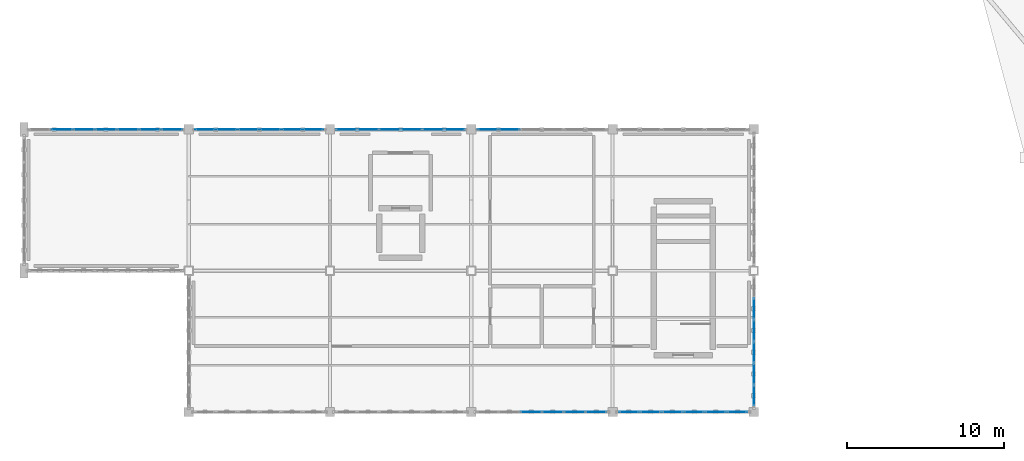
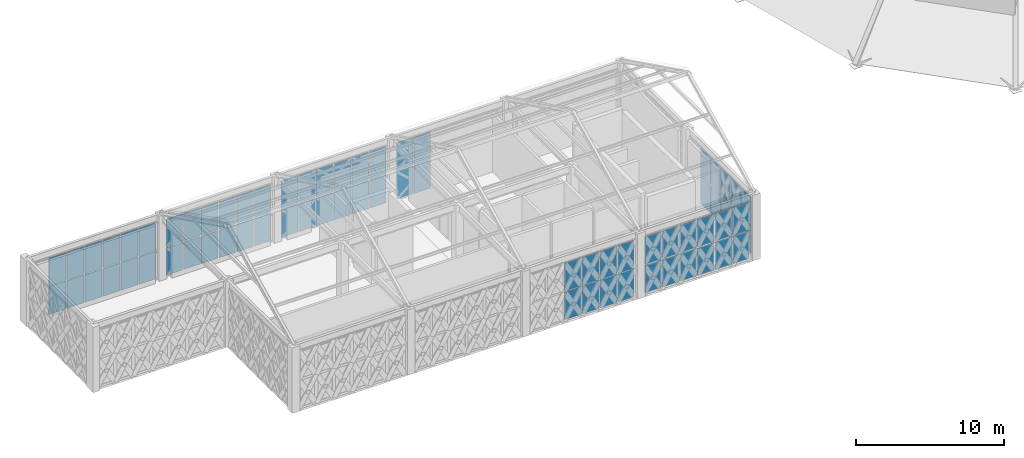
# One storey, part 25 of 32: 70 plates, 7 elements without a shape of their own.
"""IFC4 building model written with IfcOpenShell, lengths in metres."""

from ifc_helpers import new_model, si_unit, direction, frame, origin, origin_2d, place, context, subcontext, project, spatial, rectangle, extrude, material, layer, layer_set, type_object, element, aggregate, save


model = new_model("IFC4")

# Units and contexts
model_context = context("Model", 3, precision=1e-05, world=origin(), true_north=direction((0.0, 1.0)))
body_context = subcontext(model_context, "Body", "Model", "MODEL_VIEW")
ifc_project = project(units=[si_unit("LENGTHUNIT", "METRE"), si_unit("AREAUNIT", "SQUARE_METRE"), si_unit("VOLUMEUNIT", "CUBIC_METRE"), si_unit("PLANEANGLEUNIT", "RADIAN"), si_unit("MASSUNIT", "GRAM", prefix="KILO")], contexts=[model_context])

# Site, building, storey
site_placement = place(None, origin())
site = spatial("IfcSite", under=ifc_project, at=site_placement, CompositionType="ELEMENT")
building_placement = place(site_placement, origin())
building = spatial("IfcBuilding", under=site, at=building_placement, Name="Haizhuo Lancet Aquarium", CompositionType="ELEMENT")
storey_placement = place(building_placement, frame((0.0, 0.0, 27.0)))
storey = spatial("IfcBuildingStorey", under=building, at=storey_placement, Name="L05", CompositionType="ELEMENT", Elevation=27.0)

# Curtain wall, plates
ifc_material_1 = material(Name="Aluminium 6063-T6", Category="aluminium")
curtain_wall_type_1 = type_object("IfcCurtainWallType", Name="CWO-8310x4800", PredefinedType="NOTDEFINED", material=ifc_material_1)
curtain_wall_1_placement = place(storey_placement, origin())
curtain_wall_1 = element("IfcCurtainWall", 1, at=curtain_wall_1_placement, inside=storey, type_object=curtain_wall_type_1, Name="L05 curtain wall CW-V6-L05-261", PredefinedType="NOTDEFINED")
ifc_material_2 = material(Name="Laminated Low-E Glass", Category="glass")
ifc_layer_1 = layer(ifc_material_2, 0.028076171875)
ifc_layer_set_1 = layer_set([ifc_layer_1], Name="Laminated Low-E Glass")
plate_type_1 = type_object("IfcPlateType", Name="CW-PNL-1", PredefinedType="CURTAIN_PANEL", material=ifc_layer_set_1)
plate_1_placement = place(storey_placement, frame((-70.94189453125, -9.0, 0.080078125), z_axis=(0.0, 0.0, 1.0), x_axis=(1.0, 0.0, 0.0)))
plate_1 = element("IfcPlate", 2, at=plate_1_placement, type_object=plate_type_1, Name="CWO-83x48 panel 1.1", PredefinedType="CURTAIN_PANEL", context=body_context, shape_type="SweptSolid", body=[
    extrude(rectangle(XDim=1.264892578125, YDim=0.028076171875, at=origin_2d()), origin(), (0.0, 0.0, 1.0), 2.280029296875),
])
plate_2_placement = place(storey_placement, frame((-70.94189453125, -9.0, 2.43994140625), z_axis=(0.0, 0.0, 1.0), x_axis=(1.0, 0.0, 0.0)))
plate_2 = element("IfcPlate", 3, at=plate_2_placement, type_object=plate_type_1, Name="CWO-83x48 panel 1.2", PredefinedType="CURTAIN_PANEL", context=body_context, shape_type="SweptSolid", body=[
    extrude(rectangle(XDim=1.264892578125, YDim=0.028076171875, at=origin_2d()), origin(), (0.0, 0.0, 1.0), 2.280029296875),
])
plate_3_placement = place(storey_placement, frame((-69.577880859375, -9.0, 0.080078125), z_axis=(0.0, 0.0, 1.0), x_axis=(1.0, 0.0, 0.0)))
plate_3 = element("IfcPlate", 4, at=plate_3_placement, type_object=plate_type_1, Name="CWO-83x48 panel 2.1", PredefinedType="CURTAIN_PANEL", context=body_context, shape_type="SweptSolid", body=[
    extrude(rectangle(XDim=1.304931640625, YDim=0.028076171875, at=origin_2d()), origin(), (0.0, 0.0, 1.0), 2.280029296875),
])
plate_4_placement = place(storey_placement, frame((-69.577880859375, -9.0, 2.43994140625), z_axis=(0.0, 0.0, 1.0), x_axis=(1.0, 0.0, 0.0)))
plate_4 = element("IfcPlate", 5, at=plate_4_placement, type_object=plate_type_1, Name="CWO-83x48 panel 2.2", PredefinedType="CURTAIN_PANEL", context=body_context, shape_type="SweptSolid", body=[
    extrude(rectangle(XDim=1.304931640625, YDim=0.028076171875, at=origin_2d()), origin(), (0.0, 0.0, 1.0), 2.280029296875),
])
plate_5_placement = place(storey_placement, frame((-68.19189453125, -9.0, 0.080078125), z_axis=(0.0, 0.0, 1.0), x_axis=(1.0, 0.0, 0.0)))
plate_5 = element("IfcPlate", 6, at=plate_5_placement, type_object=plate_type_1, Name="CWO-83x48 panel 3.1", PredefinedType="CURTAIN_PANEL", context=body_context, shape_type="SweptSolid", body=[
    extrude(rectangle(XDim=1.304931640625, YDim=0.028076171875, at=origin_2d()), origin(), (0.0, 0.0, 1.0), 2.280029296875),
])
plate_6_placement = place(storey_placement, frame((-68.19189453125, -9.0, 2.43994140625), z_axis=(0.0, 0.0, 1.0), x_axis=(1.0, 0.0, 0.0)))
plate_6 = element("IfcPlate", 7, at=plate_6_placement, type_object=plate_type_1, Name="CWO-83x48 panel 3.2", PredefinedType="CURTAIN_PANEL", context=body_context, shape_type="SweptSolid", body=[
    extrude(rectangle(XDim=1.304931640625, YDim=0.028076171875, at=origin_2d()), origin(), (0.0, 0.0, 1.0), 2.280029296875),
])
plate_7_placement = place(storey_placement, frame((-66.80810546875, -9.0, 0.080078125), z_axis=(0.0, 0.0, 1.0), x_axis=(1.0, 0.0, 0.0)))
plate_7 = element("IfcPlate", 8, at=plate_7_placement, type_object=plate_type_1, Name="CWO-83x48 panel 4.1", PredefinedType="CURTAIN_PANEL", context=body_context, shape_type="SweptSolid", body=[
    extrude(rectangle(XDim=1.304931640625, YDim=0.028076171875, at=origin_2d()), origin(), (0.0, 0.0, 1.0), 2.280029296875),
])
plate_8_placement = place(storey_placement, frame((-66.80810546875, -9.0, 2.43994140625), z_axis=(0.0, 0.0, 1.0), x_axis=(1.0, 0.0, 0.0)))
plate_8 = element("IfcPlate", 9, at=plate_8_placement, type_object=plate_type_1, Name="CWO-83x48 panel 4.2", PredefinedType="CURTAIN_PANEL", context=body_context, shape_type="SweptSolid", body=[
    extrude(rectangle(XDim=1.304931640625, YDim=0.028076171875, at=origin_2d()), origin(), (0.0, 0.0, 1.0), 2.280029296875),
])
plate_9_placement = place(storey_placement, frame((-65.422119140625, -9.0, 0.080078125), z_axis=(0.0, 0.0, 1.0), x_axis=(1.0, 0.0, 0.0)))
plate_9 = element("IfcPlate", 10, at=plate_9_placement, type_object=plate_type_1, Name="CWO-83x48 panel 5.1", PredefinedType="CURTAIN_PANEL", context=body_context, shape_type="SweptSolid", body=[
    extrude(rectangle(XDim=1.304931640625, YDim=0.028076171875, at=origin_2d()), origin(), (0.0, 0.0, 1.0), 2.280029296875),
])
plate_10_placement = place(storey_placement, frame((-65.422119140625, -9.0, 2.43994140625), z_axis=(0.0, 0.0, 1.0), x_axis=(1.0, 0.0, 0.0)))
plate_10 = element("IfcPlate", 11, at=plate_10_placement, type_object=plate_type_1, Name="CWO-83x48 panel 5.2", PredefinedType="CURTAIN_PANEL", context=body_context, shape_type="SweptSolid", body=[
    extrude(rectangle(XDim=1.304931640625, YDim=0.028076171875, at=origin_2d()), origin(), (0.0, 0.0, 1.0), 2.280029296875),
])
plate_11_placement = place(storey_placement, frame((-64.05810546875, -9.0, 0.080078125), z_axis=(0.0, 0.0, 1.0), x_axis=(1.0, 0.0, 0.0)))
plate_11 = element("IfcPlate", 12, at=plate_11_placement, type_object=plate_type_1, Name="CWO-83x48 panel 6.1", PredefinedType="CURTAIN_PANEL", context=body_context, shape_type="SweptSolid", body=[
    extrude(rectangle(XDim=1.264892578125, YDim=0.028076171875, at=origin_2d()), origin(), (0.0, 0.0, 1.0), 2.280029296875),
])
plate_12_placement = place(storey_placement, frame((-64.05810546875, -9.0, 2.43994140625), z_axis=(0.0, 0.0, 1.0), x_axis=(1.0, 0.0, 0.0)))
plate_12 = element("IfcPlate", 13, at=plate_12_placement, type_object=plate_type_1, Name="CWO-83x48 panel 6.2", PredefinedType="CURTAIN_PANEL", context=body_context, shape_type="SweptSolid", body=[
    extrude(rectangle(XDim=1.264892578125, YDim=0.028076171875, at=origin_2d()), origin(), (0.0, 0.0, 1.0), 2.280029296875),
])
aggregate(curtain_wall_1, [plate_1, plate_2, plate_3, plate_4, plate_5, plate_6, plate_7, plate_8, plate_9, plate_10, plate_11, plate_12])

curtain_wall_2_placement = place(storey_placement, origin())
curtain_wall_2 = element("IfcCurtainWall", 14, at=curtain_wall_2_placement, inside=storey, type_object=curtain_wall_type_1, Name="L05 curtain wall CW-V6-L05-262", PredefinedType="NOTDEFINED")
ifc_layer_2 = layer(ifc_material_2, 0.033935546875)
ifc_layer_set_2 = layer_set([ifc_layer_2], Name="Laminated Low-E Glass")
plate_type_2 = type_object("IfcPlateType", Name="CW-PNL-2", PredefinedType="CURTAIN_PANEL", material=ifc_layer_set_2)
plate_13_placement = place(storey_placement, frame((-61.946044921875, -9.0, 0.064453125), z_axis=(0.0, 0.0, 1.0), x_axis=(1.0, 0.0, 0.0)))
plate_13 = element("IfcPlate", 15, at=plate_13_placement, type_object=plate_type_2, Name="CWO-83x48 panel 1.1", PredefinedType="CURTAIN_PANEL", context=body_context, shape_type="SweptSolid", body=[
    extrude(rectangle(XDim=1.2880859375, YDim=0.033935546875, at=origin_2d()), origin(), (0.0, 0.0, 1.0), 2.302978515625),
])
plate_14_placement = place(storey_placement, frame((-61.946044921875, -9.0, 2.4326171875), z_axis=(0.0, 0.0, 1.0), x_axis=(1.0, 0.0, 0.0)))
plate_14 = element("IfcPlate", 16, at=plate_14_placement, type_object=plate_type_2, Name="CWO-83x48 panel 1.2", PredefinedType="CURTAIN_PANEL", context=body_context, shape_type="SweptSolid", body=[
    extrude(rectangle(XDim=1.2880859375, YDim=0.033935546875, at=origin_2d()), origin(), (0.0, 0.0, 1.0), 2.302978515625),
])
plate_15_placement = place(storey_placement, frame((-60.577880859375, -9.0, 0.064453125), z_axis=(0.0, 0.0, 1.0), x_axis=(1.0, 0.0, 0.0)))
plate_15 = element("IfcPlate", 17, at=plate_15_placement, type_object=plate_type_2, Name="CWO-83x48 panel 2.1", PredefinedType="CURTAIN_PANEL", context=body_context, shape_type="SweptSolid", body=[
    extrude(rectangle(XDim=1.320068359375, YDim=0.033935546875, at=origin_2d()), origin(), (0.0, 0.0, 1.0), 2.302978515625),
])
plate_16_placement = place(storey_placement, frame((-60.577880859375, -9.0, 2.4326171875), z_axis=(0.0, 0.0, 1.0), x_axis=(1.0, 0.0, 0.0)))
plate_16 = element("IfcPlate", 18, at=plate_16_placement, type_object=plate_type_2, Name="CWO-83x48 panel 2.2", PredefinedType="CURTAIN_PANEL", context=body_context, shape_type="SweptSolid", body=[
    extrude(rectangle(XDim=1.320068359375, YDim=0.033935546875, at=origin_2d()), origin(), (0.0, 0.0, 1.0), 2.302978515625),
])
plate_17_placement = place(storey_placement, frame((-59.193115234375, -9.0, 0.064453125), z_axis=(0.0, 0.0, 1.0), x_axis=(1.0, 0.0, 0.0)))
plate_17 = element("IfcPlate", 19, at=plate_17_placement, type_object=plate_type_2, Name="CWO-83x48 panel 3.1", PredefinedType="CURTAIN_PANEL", context=body_context, shape_type="SweptSolid", body=[
    extrude(rectangle(XDim=1.320068359375, YDim=0.033935546875, at=origin_2d()), origin(), (0.0, 0.0, 1.0), 2.302978515625),
])
plate_18_placement = place(storey_placement, frame((-59.193115234375, -9.0, 2.4326171875), z_axis=(0.0, 0.0, 1.0), x_axis=(1.0, 0.0, 0.0)))
plate_18 = element("IfcPlate", 20, at=plate_18_placement, type_object=plate_type_2, Name="CWO-83x48 panel 3.2", PredefinedType="CURTAIN_PANEL", context=body_context, shape_type="SweptSolid", body=[
    extrude(rectangle(XDim=1.320068359375, YDim=0.033935546875, at=origin_2d()), origin(), (0.0, 0.0, 1.0), 2.302978515625),
])
plate_19_placement = place(storey_placement, frame((-57.806884765625, -9.0, 0.064453125), z_axis=(0.0, 0.0, 1.0), x_axis=(1.0, 0.0, 0.0)))
plate_19 = element("IfcPlate", 21, at=plate_19_placement, type_object=plate_type_2, Name="CWO-83x48 panel 4.1", PredefinedType="CURTAIN_PANEL", context=body_context, shape_type="SweptSolid", body=[
    extrude(rectangle(XDim=1.320068359375, YDim=0.033935546875, at=origin_2d()), origin(), (0.0, 0.0, 1.0), 2.302978515625),
])
plate_20_placement = place(storey_placement, frame((-57.806884765625, -9.0, 2.4326171875), z_axis=(0.0, 0.0, 1.0), x_axis=(1.0, 0.0, 0.0)))
plate_20 = element("IfcPlate", 22, at=plate_20_placement, type_object=plate_type_2, Name="CWO-83x48 panel 4.2", PredefinedType="CURTAIN_PANEL", context=body_context, shape_type="SweptSolid", body=[
    extrude(rectangle(XDim=1.320068359375, YDim=0.033935546875, at=origin_2d()), origin(), (0.0, 0.0, 1.0), 2.302978515625),
])
plate_21_placement = place(storey_placement, frame((-56.422119140625, -9.0, 0.064453125), z_axis=(0.0, 0.0, 1.0), x_axis=(1.0, 0.0, 0.0)))
plate_21 = element("IfcPlate", 23, at=plate_21_placement, type_object=plate_type_2, Name="CWO-83x48 panel 5.1", PredefinedType="CURTAIN_PANEL", context=body_context, shape_type="SweptSolid", body=[
    extrude(rectangle(XDim=1.320068359375, YDim=0.033935546875, at=origin_2d()), origin(), (0.0, 0.0, 1.0), 2.302978515625),
])
plate_22_placement = place(storey_placement, frame((-56.422119140625, -9.0, 2.4326171875), z_axis=(0.0, 0.0, 1.0), x_axis=(1.0, 0.0, 0.0)))
plate_22 = element("IfcPlate", 24, at=plate_22_placement, type_object=plate_type_2, Name="CWO-83x48 panel 5.2", PredefinedType="CURTAIN_PANEL", context=body_context, shape_type="SweptSolid", body=[
    extrude(rectangle(XDim=1.320068359375, YDim=0.033935546875, at=origin_2d()), origin(), (0.0, 0.0, 1.0), 2.302978515625),
])
plate_23_placement = place(storey_placement, frame((-55.053955078125, -9.0, 0.064453125), z_axis=(0.0, 0.0, 1.0), x_axis=(1.0, 0.0, 0.0)))
plate_23 = element("IfcPlate", 25, at=plate_23_placement, type_object=plate_type_2, Name="CWO-83x48 panel 6.1", PredefinedType="CURTAIN_PANEL", context=body_context, shape_type="SweptSolid", body=[
    extrude(rectangle(XDim=1.287109375, YDim=0.033935546875, at=origin_2d()), origin(), (0.0, 0.0, 1.0), 2.302978515625),
])
plate_24_placement = place(storey_placement, frame((-55.053955078125, -9.0, 2.4326171875), z_axis=(0.0, 0.0, 1.0), x_axis=(1.0, 0.0, 0.0)))
plate_24 = element("IfcPlate", 26, at=plate_24_placement, type_object=plate_type_2, Name="CWO-83x48 panel 6.2", PredefinedType="CURTAIN_PANEL", context=body_context, shape_type="SweptSolid", body=[
    extrude(rectangle(XDim=1.287109375, YDim=0.033935546875, at=origin_2d()), origin(), (0.0, 0.0, 1.0), 2.302978515625),
])
aggregate(curtain_wall_2, [plate_13, plate_14, plate_15, plate_16, plate_17, plate_18, plate_19, plate_20, plate_21, plate_22, plate_23, plate_24])

curtain_wall_type_2 = type_object("IfcCurtainWallType", Name="CWD-8310x4800", PredefinedType="NOTDEFINED", material=ifc_material_1)
curtain_wall_3_placement = place(storey_placement, origin())
curtain_wall_3 = element("IfcCurtainWall", 27, at=curtain_wall_3_placement, inside=storey, type_object=curtain_wall_type_2, Name="L05 curtain wall CW-V6-L05-266", PredefinedType="NOTDEFINED")
plate_25_placement = place(storey_placement, frame((-36.0, -20.422119140625, 0.075439453125), z_axis=(0.0, 0.0, 1.0), x_axis=(0.0, -1.0, 0.0)))
plate_25 = element("IfcPlate", 28, at=plate_25_placement, type_object=plate_type_2, Name="CWD-83x48 panel 2.1", PredefinedType="CURTAIN_PANEL", context=body_context, shape_type="SweptSolid", body=[
    extrude(rectangle(XDim=1.31005859375, YDim=0.033935546875, at=origin_2d()), origin(), (0.0, 0.0, 1.0), 2.287109375),
])
plate_26_placement = place(storey_placement, frame((-36.0, -20.422119140625, 2.4375), z_axis=(0.0, 0.0, 1.0), x_axis=(0.0, -1.0, 0.0)))
plate_26 = element("IfcPlate", 29, at=plate_26_placement, type_object=plate_type_2, Name="CWD-83x48 panel 2.2", PredefinedType="CURTAIN_PANEL", context=body_context, shape_type="SweptSolid", body=[
    extrude(rectangle(XDim=1.31005859375, YDim=0.033935546875, at=origin_2d()), origin(), (0.0, 0.0, 1.0), 2.287109375),
])
plate_27_placement = place(storey_placement, frame((-36.0, -21.80810546875, 0.075439453125), z_axis=(0.0, 0.0, 1.0), x_axis=(0.0, -1.0, 0.0)))
plate_27 = element("IfcPlate", 30, at=plate_27_placement, type_object=plate_type_2, Name="CWD-83x48 panel 3.1", PredefinedType="CURTAIN_PANEL", context=body_context, shape_type="SweptSolid", body=[
    extrude(rectangle(XDim=1.31005859375, YDim=0.033935546875, at=origin_2d()), origin(), (0.0, 0.0, 1.0), 2.287109375),
])
plate_28_placement = place(storey_placement, frame((-36.0, -21.80810546875, 2.4375), z_axis=(0.0, 0.0, 1.0), x_axis=(0.0, -1.0, 0.0)))
plate_28 = element("IfcPlate", 31, at=plate_28_placement, type_object=plate_type_2, Name="CWD-83x48 panel 3.2", PredefinedType="CURTAIN_PANEL", context=body_context, shape_type="SweptSolid", body=[
    extrude(rectangle(XDim=1.31005859375, YDim=0.033935546875, at=origin_2d()), origin(), (0.0, 0.0, 1.0), 2.287109375),
])
plate_29_placement = place(storey_placement, frame((-36.0, -23.193115234375, 0.075439453125), z_axis=(0.0, 0.0, 1.0), x_axis=(0.0, -1.0, 0.0)))
plate_29 = element("IfcPlate", 32, at=plate_29_placement, type_object=plate_type_2, Name="CWD-83x48 panel 4.1", PredefinedType="CURTAIN_PANEL", context=body_context, shape_type="SweptSolid", body=[
    extrude(rectangle(XDim=1.31005859375, YDim=0.033935546875, at=origin_2d()), origin(), (0.0, 0.0, 1.0), 2.287109375),
])
plate_30_placement = place(storey_placement, frame((-36.0, -23.193115234375, 2.4375), z_axis=(0.0, 0.0, 1.0), x_axis=(0.0, -1.0, 0.0)))
plate_30 = element("IfcPlate", 33, at=plate_30_placement, type_object=plate_type_2, Name="CWD-83x48 panel 4.2", PredefinedType="CURTAIN_PANEL", context=body_context, shape_type="SweptSolid", body=[
    extrude(rectangle(XDim=1.31005859375, YDim=0.033935546875, at=origin_2d()), origin(), (0.0, 0.0, 1.0), 2.287109375),
])
plate_31_placement = place(storey_placement, frame((-36.0, -24.577880859375, 0.075439453125), z_axis=(0.0, 0.0, 1.0), x_axis=(0.0, -1.0, 0.0)))
plate_31 = element("IfcPlate", 34, at=plate_31_placement, type_object=plate_type_2, Name="CWD-83x48 panel 5.1", PredefinedType="CURTAIN_PANEL", context=body_context, shape_type="SweptSolid", body=[
    extrude(rectangle(XDim=1.31005859375, YDim=0.033935546875, at=origin_2d()), origin(), (0.0, 0.0, 1.0), 2.287109375),
])
plate_32_placement = place(storey_placement, frame((-36.0, -24.577880859375, 2.4375), z_axis=(0.0, 0.0, 1.0), x_axis=(0.0, -1.0, 0.0)))
plate_32 = element("IfcPlate", 35, at=plate_32_placement, type_object=plate_type_2, Name="CWD-83x48 panel 5.2", PredefinedType="CURTAIN_PANEL", context=body_context, shape_type="SweptSolid", body=[
    extrude(rectangle(XDim=1.31005859375, YDim=0.033935546875, at=origin_2d()), origin(), (0.0, 0.0, 1.0), 2.287109375),
])
plate_33_placement = place(storey_placement, frame((-36.0, -25.944091796875, 0.075439453125), z_axis=(0.0, 0.0, 1.0), x_axis=(0.0, -1.0, 0.0)))
plate_33 = element("IfcPlate", 36, at=plate_33_placement, type_object=plate_type_2, Name="CWD-83x48 panel 6.1", PredefinedType="CURTAIN_PANEL", context=body_context, shape_type="SweptSolid", body=[
    extrude(rectangle(XDim=1.27294921875, YDim=0.033935546875, at=origin_2d()), origin(), (0.0, 0.0, 1.0), 2.287109375),
])
plate_34_placement = place(storey_placement, frame((-36.0, -25.944091796875, 2.4375), z_axis=(0.0, 0.0, 1.0), x_axis=(0.0, -1.0, 0.0)))
plate_34 = element("IfcPlate", 37, at=plate_34_placement, type_object=plate_type_2, Name="CWD-83x48 panel 6.2", PredefinedType="CURTAIN_PANEL", context=body_context, shape_type="SweptSolid", body=[
    extrude(rectangle(XDim=1.27294921875, YDim=0.033935546875, at=origin_2d()), origin(), (0.0, 0.0, 1.0), 2.287109375),
])
aggregate(curtain_wall_3, [plate_25, plate_26, plate_27, plate_28, plate_29, plate_30, plate_31, plate_32, plate_33, plate_34])

curtain_wall_4_placement = place(storey_placement, origin())
curtain_wall_4 = element("IfcCurtainWall", 38, at=curtain_wall_4_placement, inside=storey, type_object=curtain_wall_type_1, Name="L05 curtain wall CW-V6-L05-263", PredefinedType="NOTDEFINED")
ifc_layer_3 = layer(ifc_material_2, 0.0419921875)
ifc_layer_set_3 = layer_set([ifc_layer_3], Name="Laminated Low-E Glass")
plate_type_3 = type_object("IfcPlateType", Name="CW-PNL-3", PredefinedType="CURTAIN_PANEL", material=ifc_layer_set_3)
plate_35_placement = place(storey_placement, frame((-52.944091796875, -9.0, 0.075439453125), z_axis=(0.0, 0.0, 1.0), x_axis=(1.0, 0.0, 0.0)))
plate_35 = element("IfcPlate", 39, at=plate_35_placement, type_object=plate_type_3, Name="CWO-83x48 panel 1.1", PredefinedType="CURTAIN_PANEL", context=body_context, shape_type="SweptSolid", body=[
    extrude(rectangle(XDim=1.27294921875, YDim=0.0419921875, at=origin_2d()), origin(), (0.0, 0.0, 1.0), 2.287109375),
])
plate_36_placement = place(storey_placement, frame((-52.944091796875, -9.0, 2.4375), z_axis=(0.0, 0.0, 1.0), x_axis=(1.0, 0.0, 0.0)))
plate_36 = element("IfcPlate", 40, at=plate_36_placement, type_object=plate_type_3, Name="CWO-83x48 panel 1.2", PredefinedType="CURTAIN_PANEL", context=body_context, shape_type="SweptSolid", body=[
    extrude(rectangle(XDim=1.27294921875, YDim=0.0419921875, at=origin_2d()), origin(), (0.0, 0.0, 1.0), 2.287109375),
])
plate_37_placement = place(storey_placement, frame((-51.577880859375, -9.0, 0.075439453125), z_axis=(0.0, 0.0, 1.0), x_axis=(1.0, 0.0, 0.0)))
plate_37 = element("IfcPlate", 41, at=plate_37_placement, type_object=plate_type_3, Name="CWO-83x48 panel 2.1", PredefinedType="CURTAIN_PANEL", context=body_context, shape_type="SweptSolid", body=[
    extrude(rectangle(XDim=1.31005859375, YDim=0.0419921875, at=origin_2d()), origin(), (0.0, 0.0, 1.0), 2.287109375),
])
plate_38_placement = place(storey_placement, frame((-51.577880859375, -9.0, 2.4375), z_axis=(0.0, 0.0, 1.0), x_axis=(1.0, 0.0, 0.0)))
plate_38 = element("IfcPlate", 42, at=plate_38_placement, type_object=plate_type_3, Name="CWO-83x48 panel 2.2", PredefinedType="CURTAIN_PANEL", context=body_context, shape_type="SweptSolid", body=[
    extrude(rectangle(XDim=1.31005859375, YDim=0.0419921875, at=origin_2d()), origin(), (0.0, 0.0, 1.0), 2.287109375),
])
aggregate(curtain_wall_4, [plate_35, plate_36, plate_37, plate_38])

curtain_wall_5_placement = place(storey_placement, origin())
curtain_wall_5 = element("IfcCurtainWall", 43, at=curtain_wall_5_placement, inside=storey, type_object=curtain_wall_type_2, Name="L05 curtain wall CW-V6-L05-267", PredefinedType="NOTDEFINED")
plate_39_placement = place(storey_placement, frame((-37.056884765625, -27.0, 0.080078125), z_axis=(0.0, 0.0, 1.0), x_axis=(-1.0, 0.0, 0.0)))
plate_39 = element("IfcPlate", 44, at=plate_39_placement, type_object=plate_type_3, Name="CWD-83x48 panel 1.1", PredefinedType="CURTAIN_PANEL", context=body_context, shape_type="SweptSolid", body=[
    extrude(rectangle(XDim=1.264892578125, YDim=0.0419921875, at=origin_2d()), origin(), (0.0, 0.0, 1.0), 2.280029296875),
])
plate_40_placement = place(storey_placement, frame((-37.056884765625, -27.0, 2.43994140625), z_axis=(0.0, 0.0, 1.0), x_axis=(-1.0, 0.0, 0.0)))
plate_40 = element("IfcPlate", 45, at=plate_40_placement, type_object=plate_type_3, Name="CWD-83x48 panel 1.2", PredefinedType="CURTAIN_PANEL", context=body_context, shape_type="SweptSolid", body=[
    extrude(rectangle(XDim=1.264892578125, YDim=0.0419921875, at=origin_2d()), origin(), (0.0, 0.0, 1.0), 2.280029296875),
])
plate_41_placement = place(storey_placement, frame((-38.422119140625, -27.0, 0.080078125), z_axis=(0.0, 0.0, 1.0), x_axis=(-1.0, 0.0, 0.0)))
plate_41 = element("IfcPlate", 46, at=plate_41_placement, type_object=plate_type_3, Name="CWD-83x48 panel 2.1", PredefinedType="CURTAIN_PANEL", context=body_context, shape_type="SweptSolid", body=[
    extrude(rectangle(XDim=1.304931640625, YDim=0.0419921875, at=origin_2d()), origin(), (0.0, 0.0, 1.0), 2.280029296875),
])
plate_42_placement = place(storey_placement, frame((-38.422119140625, -27.0, 2.43994140625), z_axis=(0.0, 0.0, 1.0), x_axis=(-1.0, 0.0, 0.0)))
plate_42 = element("IfcPlate", 47, at=plate_42_placement, type_object=plate_type_3, Name="CWD-83x48 panel 2.2", PredefinedType="CURTAIN_PANEL", context=body_context, shape_type="SweptSolid", body=[
    extrude(rectangle(XDim=1.304931640625, YDim=0.0419921875, at=origin_2d()), origin(), (0.0, 0.0, 1.0), 2.280029296875),
])
plate_43_placement = place(storey_placement, frame((-39.806884765625, -27.0, 0.080078125), z_axis=(0.0, 0.0, 1.0), x_axis=(-1.0, 0.0, 0.0)))
plate_43 = element("IfcPlate", 48, at=plate_43_placement, type_object=plate_type_3, Name="CWD-83x48 panel 3.1", PredefinedType="CURTAIN_PANEL", context=body_context, shape_type="SweptSolid", body=[
    extrude(rectangle(XDim=1.304931640625, YDim=0.0419921875, at=origin_2d()), origin(), (0.0, 0.0, 1.0), 2.280029296875),
])
plate_44_placement = place(storey_placement, frame((-39.806884765625, -27.0, 2.43994140625), z_axis=(0.0, 0.0, 1.0), x_axis=(-1.0, 0.0, 0.0)))
plate_44 = element("IfcPlate", 49, at=plate_44_placement, type_object=plate_type_3, Name="CWD-83x48 panel 3.2", PredefinedType="CURTAIN_PANEL", context=body_context, shape_type="SweptSolid", body=[
    extrude(rectangle(XDim=1.304931640625, YDim=0.0419921875, at=origin_2d()), origin(), (0.0, 0.0, 1.0), 2.280029296875),
])
plate_45_placement = place(storey_placement, frame((-41.193115234375, -27.0, 0.080078125), z_axis=(0.0, 0.0, 1.0), x_axis=(-1.0, 0.0, 0.0)))
plate_45 = element("IfcPlate", 50, at=plate_45_placement, type_object=plate_type_3, Name="CWD-83x48 panel 4.1", PredefinedType="CURTAIN_PANEL", context=body_context, shape_type="SweptSolid", body=[
    extrude(rectangle(XDim=1.304931640625, YDim=0.0419921875, at=origin_2d()), origin(), (0.0, 0.0, 1.0), 2.280029296875),
])
plate_46_placement = place(storey_placement, frame((-41.193115234375, -27.0, 2.43994140625), z_axis=(0.0, 0.0, 1.0), x_axis=(-1.0, 0.0, 0.0)))
plate_46 = element("IfcPlate", 51, at=plate_46_placement, type_object=plate_type_3, Name="CWD-83x48 panel 4.2", PredefinedType="CURTAIN_PANEL", context=body_context, shape_type="SweptSolid", body=[
    extrude(rectangle(XDim=1.304931640625, YDim=0.0419921875, at=origin_2d()), origin(), (0.0, 0.0, 1.0), 2.280029296875),
])
plate_47_placement = place(storey_placement, frame((-42.577880859375, -27.0, 0.080078125), z_axis=(0.0, 0.0, 1.0), x_axis=(-1.0, 0.0, 0.0)))
plate_47 = element("IfcPlate", 52, at=plate_47_placement, type_object=plate_type_3, Name="CWD-83x48 panel 5.1", PredefinedType="CURTAIN_PANEL", context=body_context, shape_type="SweptSolid", body=[
    extrude(rectangle(XDim=1.304931640625, YDim=0.0419921875, at=origin_2d()), origin(), (0.0, 0.0, 1.0), 2.280029296875),
])
plate_48_placement = place(storey_placement, frame((-42.577880859375, -27.0, 2.43994140625), z_axis=(0.0, 0.0, 1.0), x_axis=(-1.0, 0.0, 0.0)))
plate_48 = element("IfcPlate", 53, at=plate_48_placement, type_object=plate_type_3, Name="CWD-83x48 panel 5.2", PredefinedType="CURTAIN_PANEL", context=body_context, shape_type="SweptSolid", body=[
    extrude(rectangle(XDim=1.304931640625, YDim=0.0419921875, at=origin_2d()), origin(), (0.0, 0.0, 1.0), 2.280029296875),
])
plate_49_placement = place(storey_placement, frame((-43.943115234375, -27.0, 0.080078125), z_axis=(0.0, 0.0, 1.0), x_axis=(-1.0, 0.0, 0.0)))
plate_49 = element("IfcPlate", 54, at=plate_49_placement, type_object=plate_type_3, Name="CWD-83x48 panel 6.1", PredefinedType="CURTAIN_PANEL", context=body_context, shape_type="SweptSolid", body=[
    extrude(rectangle(XDim=1.264892578125, YDim=0.0419921875, at=origin_2d()), origin(), (0.0, 0.0, 1.0), 2.280029296875),
])
plate_50_placement = place(storey_placement, frame((-43.943115234375, -27.0, 2.43994140625), z_axis=(0.0, 0.0, 1.0), x_axis=(-1.0, 0.0, 0.0)))
plate_50 = element("IfcPlate", 55, at=plate_50_placement, type_object=plate_type_3, Name="CWD-83x48 panel 6.2", PredefinedType="CURTAIN_PANEL", context=body_context, shape_type="SweptSolid", body=[
    extrude(rectangle(XDim=1.264892578125, YDim=0.0419921875, at=origin_2d()), origin(), (0.0, 0.0, 1.0), 2.280029296875),
])
aggregate(curtain_wall_5, [plate_39, plate_40, plate_41, plate_42, plate_43, plate_44, plate_45, plate_46, plate_47, plate_48, plate_49, plate_50])

curtain_wall_type_3 = type_object("IfcCurtainWallType", Name="CWO-9860x4800", PredefinedType="NOTDEFINED", material=ifc_material_1)
curtain_wall_6_placement = place(storey_placement, origin())
curtain_wall_6 = element("IfcCurtainWall", 56, at=curtain_wall_6_placement, inside=storey, type_object=curtain_wall_type_3, Name="L05 curtain wall CW-V6-L05-260", PredefinedType="NOTDEFINED")
ifc_layer_4 = layer(ifc_material_2, 0.052001953125)
ifc_layer_set_4 = layer_set([ifc_layer_4], Name="Laminated Low-E Glass")
plate_type_4 = type_object("IfcPlateType", Name="CW-PNL-4", PredefinedType="CURTAIN_PANEL", material=ifc_layer_set_4)
plate_51_placement = place(storey_placement, frame((-80.092041015625, -9.0, 0.075439453125), z_axis=(0.0, 0.0, 1.0), x_axis=(1.0, 0.0, 0.0)))
plate_51 = element("IfcPlate", 57, at=plate_51_placement, type_object=plate_type_4, Name="CWO-98x48 panel 2.1", PredefinedType="CURTAIN_PANEL", context=body_context, shape_type="SweptSolid", body=[
    extrude(rectangle(XDim=1.333984375, YDim=0.052001953125, at=origin_2d()), origin(), (0.0, 0.0, 1.0), 2.287109375),
])
plate_52_placement = place(storey_placement, frame((-80.092041015625, -9.0, 2.4375), z_axis=(0.0, 0.0, 1.0), x_axis=(1.0, 0.0, 0.0)))
plate_52 = element("IfcPlate", 58, at=plate_52_placement, type_object=plate_type_4, Name="CWO-98x48 panel 2.2", PredefinedType="CURTAIN_PANEL", context=body_context, shape_type="SweptSolid", body=[
    extrude(rectangle(XDim=1.333984375, YDim=0.052001953125, at=origin_2d()), origin(), (0.0, 0.0, 1.0), 2.287109375),
])
plate_53_placement = place(storey_placement, frame((-78.68408203125, -9.0, 0.075439453125), z_axis=(0.0, 0.0, 1.0), x_axis=(1.0, 0.0, 0.0)))
plate_53 = element("IfcPlate", 59, at=plate_53_placement, type_object=plate_type_4, Name="CWO-98x48 panel 3.1", PredefinedType="CURTAIN_PANEL", context=body_context, shape_type="SweptSolid", body=[
    extrude(rectangle(XDim=1.333984375, YDim=0.052001953125, at=origin_2d()), origin(), (0.0, 0.0, 1.0), 2.287109375),
])
plate_54_placement = place(storey_placement, frame((-78.68408203125, -9.0, 2.4375), z_axis=(0.0, 0.0, 1.0), x_axis=(1.0, 0.0, 0.0)))
plate_54 = element("IfcPlate", 60, at=plate_54_placement, type_object=plate_type_4, Name="CWO-98x48 panel 3.2", PredefinedType="CURTAIN_PANEL", context=body_context, shape_type="SweptSolid", body=[
    extrude(rectangle(XDim=1.333984375, YDim=0.052001953125, at=origin_2d()), origin(), (0.0, 0.0, 1.0), 2.287109375),
])
plate_55_placement = place(storey_placement, frame((-77.27490234375, -9.0, 0.075439453125), z_axis=(0.0, 0.0, 1.0), x_axis=(1.0, 0.0, 0.0)))
plate_55 = element("IfcPlate", 61, at=plate_55_placement, type_object=plate_type_4, Name="CWO-98x48 panel 4.1", PredefinedType="CURTAIN_PANEL", context=body_context, shape_type="SweptSolid", body=[
    extrude(rectangle(XDim=1.333984375, YDim=0.052001953125, at=origin_2d()), origin(), (0.0, 0.0, 1.0), 2.287109375),
])
plate_56_placement = place(storey_placement, frame((-77.27490234375, -9.0, 2.4375), z_axis=(0.0, 0.0, 1.0), x_axis=(1.0, 0.0, 0.0)))
plate_56 = element("IfcPlate", 62, at=plate_56_placement, type_object=plate_type_4, Name="CWO-98x48 panel 4.2", PredefinedType="CURTAIN_PANEL", context=body_context, shape_type="SweptSolid", body=[
    extrude(rectangle(XDim=1.333984375, YDim=0.052001953125, at=origin_2d()), origin(), (0.0, 0.0, 1.0), 2.287109375),
])
plate_57_placement = place(storey_placement, frame((-75.865966796875, -9.0, 0.075439453125), z_axis=(0.0, 0.0, 1.0), x_axis=(1.0, 0.0, 0.0)))
plate_57 = element("IfcPlate", 63, at=plate_57_placement, type_object=plate_type_4, Name="CWO-98x48 panel 5.1", PredefinedType="CURTAIN_PANEL", context=body_context, shape_type="SweptSolid", body=[
    extrude(rectangle(XDim=1.333984375, YDim=0.052001953125, at=origin_2d()), origin(), (0.0, 0.0, 1.0), 2.287109375),
])
plate_58_placement = place(storey_placement, frame((-75.865966796875, -9.0, 2.4375), z_axis=(0.0, 0.0, 1.0), x_axis=(1.0, 0.0, 0.0)))
plate_58 = element("IfcPlate", 64, at=plate_58_placement, type_object=plate_type_4, Name="CWO-98x48 panel 5.2", PredefinedType="CURTAIN_PANEL", context=body_context, shape_type="SweptSolid", body=[
    extrude(rectangle(XDim=1.333984375, YDim=0.052001953125, at=origin_2d()), origin(), (0.0, 0.0, 1.0), 2.287109375),
])
plate_59_placement = place(storey_placement, frame((-74.4580078125, -9.0, 0.075439453125), z_axis=(0.0, 0.0, 1.0), x_axis=(1.0, 0.0, 0.0)))
plate_59 = element("IfcPlate", 65, at=plate_59_placement, type_object=plate_type_4, Name="CWO-98x48 panel 6.1", PredefinedType="CURTAIN_PANEL", context=body_context, shape_type="SweptSolid", body=[
    extrude(rectangle(XDim=1.333984375, YDim=0.052001953125, at=origin_2d()), origin(), (0.0, 0.0, 1.0), 2.287109375),
])
plate_60_placement = place(storey_placement, frame((-74.4580078125, -9.0, 2.4375), z_axis=(0.0, 0.0, 1.0), x_axis=(1.0, 0.0, 0.0)))
plate_60 = element("IfcPlate", 66, at=plate_60_placement, type_object=plate_type_4, Name="CWO-98x48 panel 6.2", PredefinedType="CURTAIN_PANEL", context=body_context, shape_type="SweptSolid", body=[
    extrude(rectangle(XDim=1.333984375, YDim=0.052001953125, at=origin_2d()), origin(), (0.0, 0.0, 1.0), 2.287109375),
])
plate_61_placement = place(storey_placement, frame((-73.068115234375, -9.0, 0.075439453125), z_axis=(0.0, 0.0, 1.0), x_axis=(1.0, 0.0, 0.0)))
plate_61 = element("IfcPlate", 67, at=plate_61_placement, type_object=plate_type_4, Name="CWO-98x48 panel 7.1", PredefinedType="CURTAIN_PANEL", context=body_context, shape_type="SweptSolid", body=[
    extrude(rectangle(XDim=1.2958984375, YDim=0.052001953125, at=origin_2d()), origin(), (0.0, 0.0, 1.0), 2.287109375),
])
plate_62_placement = place(storey_placement, frame((-73.068115234375, -9.0, 2.4375), z_axis=(0.0, 0.0, 1.0), x_axis=(1.0, 0.0, 0.0)))
plate_62 = element("IfcPlate", 68, at=plate_62_placement, type_object=plate_type_4, Name="CWO-98x48 panel 7.2", PredefinedType="CURTAIN_PANEL", context=body_context, shape_type="SweptSolid", body=[
    extrude(rectangle(XDim=1.2958984375, YDim=0.052001953125, at=origin_2d()), origin(), (0.0, 0.0, 1.0), 2.287109375),
])
aggregate(curtain_wall_6, [plate_51, plate_52, plate_53, plate_54, plate_55, plate_56, plate_57, plate_58, plate_59, plate_60, plate_61, plate_62])

curtain_wall_7_placement = place(storey_placement, origin())
curtain_wall_7 = element("IfcCurtainWall", 69, at=curtain_wall_7_placement, inside=storey, type_object=curtain_wall_type_2, Name="L05 curtain wall CW-V6-L05-268", PredefinedType="NOTDEFINED")
plate_63_placement = place(storey_placement, frame((-46.053955078125, -27.0, 0.064453125), z_axis=(0.0, 0.0, 1.0), x_axis=(-1.0, 0.0, 0.0)))
plate_63 = element("IfcPlate", 70, at=plate_63_placement, type_object=plate_type_4, Name="CWD-83x48 panel 1.1", PredefinedType="CURTAIN_PANEL", context=body_context, shape_type="SweptSolid", body=[
    extrude(rectangle(XDim=1.2880859375, YDim=0.052001953125, at=origin_2d()), origin(), (0.0, 0.0, 1.0), 2.302978515625),
])
plate_64_placement = place(storey_placement, frame((-46.053955078125, -27.0, 2.4326171875), z_axis=(0.0, 0.0, 1.0), x_axis=(-1.0, 0.0, 0.0)))
plate_64 = element("IfcPlate", 71, at=plate_64_placement, type_object=plate_type_4, Name="CWD-83x48 panel 1.2", PredefinedType="CURTAIN_PANEL", context=body_context, shape_type="SweptSolid", body=[
    extrude(rectangle(XDim=1.2880859375, YDim=0.052001953125, at=origin_2d()), origin(), (0.0, 0.0, 1.0), 2.302978515625),
])
plate_65_placement = place(storey_placement, frame((-47.422119140625, -27.0, 0.064453125), z_axis=(0.0, 0.0, 1.0), x_axis=(-1.0, 0.0, 0.0)))
plate_65 = element("IfcPlate", 72, at=plate_65_placement, type_object=plate_type_4, Name="CWD-83x48 panel 2.1", PredefinedType="CURTAIN_PANEL", context=body_context, shape_type="SweptSolid", body=[
    extrude(rectangle(XDim=1.320068359375, YDim=0.052001953125, at=origin_2d()), origin(), (0.0, 0.0, 1.0), 2.302978515625),
])
plate_66_placement = place(storey_placement, frame((-47.422119140625, -27.0, 2.4326171875), z_axis=(0.0, 0.0, 1.0), x_axis=(-1.0, 0.0, 0.0)))
plate_66 = element("IfcPlate", 73, at=plate_66_placement, type_object=plate_type_4, Name="CWD-83x48 panel 2.2", PredefinedType="CURTAIN_PANEL", context=body_context, shape_type="SweptSolid", body=[
    extrude(rectangle(XDim=1.320068359375, YDim=0.052001953125, at=origin_2d()), origin(), (0.0, 0.0, 1.0), 2.302978515625),
])
plate_67_placement = place(storey_placement, frame((-48.806884765625, -27.0, 0.064453125), z_axis=(0.0, 0.0, 1.0), x_axis=(-1.0, 0.0, 0.0)))
plate_67 = element("IfcPlate", 74, at=plate_67_placement, type_object=plate_type_4, Name="CWD-83x48 panel 3.1", PredefinedType="CURTAIN_PANEL", context=body_context, shape_type="SweptSolid", body=[
    extrude(rectangle(XDim=1.320068359375, YDim=0.052001953125, at=origin_2d()), origin(), (0.0, 0.0, 1.0), 2.302978515625),
])
plate_68_placement = place(storey_placement, frame((-48.806884765625, -27.0, 2.4326171875), z_axis=(0.0, 0.0, 1.0), x_axis=(-1.0, 0.0, 0.0)))
plate_68 = element("IfcPlate", 75, at=plate_68_placement, type_object=plate_type_4, Name="CWD-83x48 panel 3.2", PredefinedType="CURTAIN_PANEL", context=body_context, shape_type="SweptSolid", body=[
    extrude(rectangle(XDim=1.320068359375, YDim=0.052001953125, at=origin_2d()), origin(), (0.0, 0.0, 1.0), 2.302978515625),
])
plate_69_placement = place(storey_placement, frame((-50.193115234375, -27.0, 0.064453125), z_axis=(0.0, 0.0, 1.0), x_axis=(-1.0, 0.0, 0.0)))
plate_69 = element("IfcPlate", 76, at=plate_69_placement, type_object=plate_type_4, Name="CWD-83x48 panel 4.1", PredefinedType="CURTAIN_PANEL", context=body_context, shape_type="SweptSolid", body=[
    extrude(rectangle(XDim=1.320068359375, YDim=0.052001953125, at=origin_2d()), origin(), (0.0, 0.0, 1.0), 2.302978515625),
])
plate_70_placement = place(storey_placement, frame((-50.193115234375, -27.0, 2.4326171875), z_axis=(0.0, 0.0, 1.0), x_axis=(-1.0, 0.0, 0.0)))
plate_70 = element("IfcPlate", 77, at=plate_70_placement, type_object=plate_type_4, Name="CWD-83x48 panel 4.2", PredefinedType="CURTAIN_PANEL", context=body_context, shape_type="SweptSolid", body=[
    extrude(rectangle(XDim=1.320068359375, YDim=0.052001953125, at=origin_2d()), origin(), (0.0, 0.0, 1.0), 2.302978515625),
])
aggregate(curtain_wall_7, [plate_63, plate_64, plate_65, plate_66, plate_67, plate_68, plate_69, plate_70])

save(model, "model.ifc")
